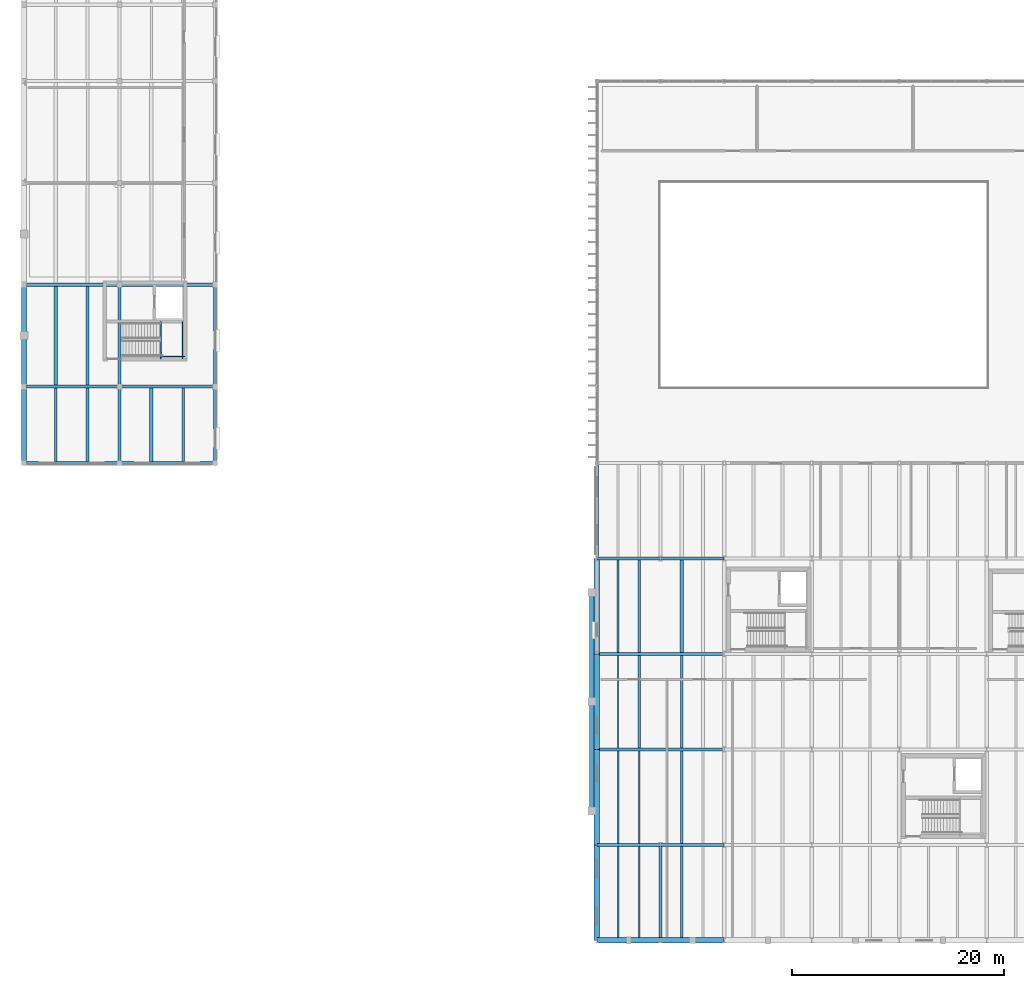
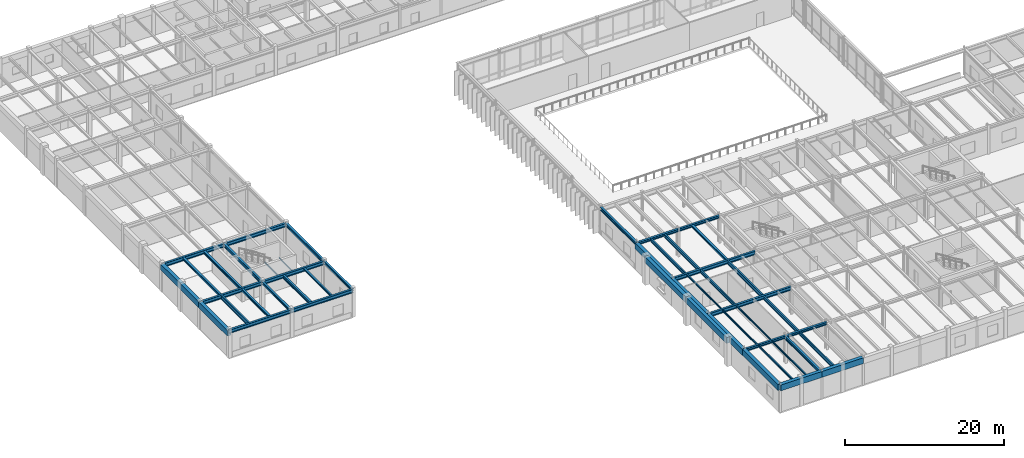
# One storey, part 18 of 64: 49 beams.
"""IFC4 building model written with IfcOpenShell, lengths in metres."""

from ifc_helpers import new_model, si_unit, direction, frame, origin, origin_2d, place, context, subcontext, project, spatial, rectangle, i_section, extrude, material, material_profile, profile_set, type_object, element, save


model = new_model("IFC4")

# Units and contexts
model_context = context("Model", 3, precision=1e-05, world=origin(), true_north=direction((0.0, 1.0)))
body_context = subcontext(model_context, "Body", "Model", "MODEL_VIEW")
ifc_project = project(units=[si_unit("LENGTHUNIT", "METRE"), si_unit("AREAUNIT", "SQUARE_METRE"), si_unit("VOLUMEUNIT", "CUBIC_METRE"), si_unit("PLANEANGLEUNIT", "RADIAN"), si_unit("MASSUNIT", "GRAM", prefix="KILO")], contexts=[model_context])

# Site, building, storey
site_placement = place(None, origin())
site = spatial("IfcSite", under=ifc_project, at=site_placement, CompositionType="ELEMENT")
building_placement = place(site_placement, origin())
building = spatial("IfcBuilding", under=site, at=building_placement, Name="Montealbar Specialist Clinic", CompositionType="ELEMENT")
storey_placement = place(building_placement, frame((0.0, 0.0, 5.10009765625)))
storey = spatial("IfcBuildingStorey", under=building, at=storey_placement, Name="L01", CompositionType="ELEMENT", Elevation=5.10009765625)

# Beams
ifc_material_1 = material(Name="Precast concrete C40/50", Category="concrete")
ifc_material_profile_1 = material_profile(ifc_material_1, rectangle(XDim=0.5, YDim=0.89990234375, at=origin_2d()), Name="PRECAST CORNICE 500x900", Category="concrete")
ifc_profile_set_1 = profile_set([ifc_material_profile_1], Name="Precast concrete C40/50")
beam_type_1 = type_object("IfcBeamType", Name="BM-CORNICE-PM900-EXT", PredefinedType="SPANDREL", material=ifc_profile_set_1)
for number, where, z_axis, x_axis, name in (
    (1, (54.0, 0.0, 3.77978515625), (1.0, 0.0, 0.0), (0.0, 1.0, 0.0), "Postmodern Entablature Cornice L01 Y=0.0 X=54.0-60.0"),
    (2, (60.0, 0.0, 3.77978515625), (1.0, 0.0, 0.0), (0.0, 1.0, 0.0), "Postmodern Entablature Cornice L01 Y=0.0 X=60.0-66.0"),
):
    element("IfcBeam", number, at=place(storey_placement, frame(where, z_axis=z_axis, x_axis=x_axis)), inside=storey, type_object=beam_type_1, Name=name, PredefinedType="SPANDREL", context=body_context, shape_type="SweptSolid", body=[
        extrude(rectangle(XDim=0.5, YDim=0.89990234375, at=origin_2d()), origin(), (0.0, 0.0, 1.0), 6.0),
    ])
beam_1_placement = place(storey_placement, frame((0.0, 45.0, 3.72998046875), z_axis=(0.0, 1.0, 0.0), x_axis=(-1.0, 0.0, 0.0)))
element("IfcBeam", 3, at=beam_1_placement, inside=storey, type_object=beam_type_1, Name="Postmodern Entablature Cornice L01 X=0.0 Y=45.0-52.2", PredefinedType="SPANDREL", context=body_context, shape_type="SweptSolid", body=[
    extrude(rectangle(XDim=0.5, YDim=0.89990234375, at=origin_2d()), origin(), (0.0, 0.0, 1.0), 7.199951171875),
])
beam_2_placement = place(storey_placement, frame((0.0, 52.199951171875, 3.72998046875), z_axis=(0.0, 1.0, 0.0), x_axis=(-1.0, 0.0, 0.0)))
element("IfcBeam", 4, at=beam_2_placement, inside=storey, type_object=beam_type_1, Name="Postmodern Entablature Cornice L01 X=0.0 Y=52.2-61.8", PredefinedType="SPANDREL", context=body_context, shape_type="SweptSolid", body=[
    extrude(rectangle(XDim=0.5, YDim=0.89990234375, at=origin_2d()), origin(), (0.0, 0.0, 1.0), 9.60009765625),
])
for number, where, z_axis, x_axis, name in (
    (5, (54.0, 0.0, 3.77978515625), (0.0, 1.0, 0.0), (-1.0, 0.0, 0.0), "Postmodern Entablature Cornice L01 X=54.0 Y=0.0-9.0"),
    (6, (54.0, 9.0, 3.72998046875), (0.0, 1.0, 0.0), (-1.0, 0.0, 0.0), "Postmodern Entablature Cornice L01 X=54.0 Y=9.0-18.0"),
    (7, (54.0, 18.0, 3.72998046875), (0.0, 1.0, 0.0), (-1.0, 0.0, 0.0), "Postmodern Entablature Cornice L01 X=54.0 Y=18.0-27.0"),
    (8, (54.0, 27.0, 3.72998046875), (0.0, 1.0, 0.0), (-1.0, 0.0, 0.0), "Postmodern Entablature Cornice L01 X=54.0 Y=27.0-36.0"),
):
    element("IfcBeam", number, at=place(storey_placement, frame(where, z_axis=z_axis, x_axis=x_axis)), inside=storey, type_object=beam_type_1, Name=name, PredefinedType="SPANDREL", context=body_context, shape_type="SweptSolid", body=[
        extrude(rectangle(XDim=0.5, YDim=0.89990234375, at=origin_2d()), origin(), (0.0, 0.0, 1.0), 9.0),
    ])
for number, where, z_axis, x_axis, name in (
    (9, (53.550048828125, 12.199951171875, 3.760009765625), (0.0, 1.0, 0.0), (-1.0, 0.0, 0.0), "Metro Forecourt Colonnade Entablature South"),
    (10, (53.550048828125, 22.5, 3.760009765625), (0.0, 1.0, 0.0), (-1.0, 0.0, 0.0), "Metro Forecourt Colonnade Entablature North"),
):
    element("IfcBeam", number, at=place(storey_placement, frame(where, z_axis=z_axis, x_axis=x_axis)), inside=storey, type_object=beam_type_1, Name=name, PredefinedType="SPANDREL", context=body_context, shape_type="SweptSolid", body=[
        extrude(rectangle(XDim=0.5, YDim=0.89990234375, at=origin_2d()), origin(), (0.0, 0.0, 1.0), 10.300048828125),
    ])
ifc_material_2 = material(Name="Steel S355", Category="steel")
ifc_material_profile_2 = material_profile(ifc_material_2, i_section(OverallWidth=0.300048828125, OverallDepth=0.360107421875, WebThickness=0.012451171875, FlangeThickness=0.0224609375, FilletRadius=0.027099609375, at=origin_2d()), Name="HEB 360", Category="steel")
ifc_profile_set_2 = profile_set([ifc_material_profile_2], Name="Steel S355")
beam_type_2 = type_object("IfcBeamType", Name="BM-GIRD-HEB360-EXT", PredefinedType="BEAM", material=ifc_profile_set_2)
for number, where, z_axis, x_axis, name in (
    (11, (9.0, 45.0, 4.0), (0.0, 1.0, 0.0), (-1.0, 0.0, 0.0), "Beam GY-L01-90-450-522"),
    (12, (18.0, 45.0, 4.0), (0.0, 1.0, 0.0), (-1.0, 0.0, 0.0), "Beam GY-L01-180-450-522"),
):
    element("IfcBeam", number, at=place(storey_placement, frame(where, z_axis=z_axis, x_axis=x_axis)), inside=storey, type_object=beam_type_2, Name=name, PredefinedType="BEAM", context=body_context, shape_type="SweptSolid", body=[
        extrude(i_section(OverallWidth=0.300048828125, OverallDepth=0.360107421875, WebThickness=0.012451171875, FlangeThickness=0.0224609375, FilletRadius=0.027099609375, at=origin_2d()), origin(), (0.0, 0.0, 1.0), 7.199951171875),
    ])
ifc_material_profile_3 = material_profile(ifc_material_2, i_section(OverallWidth=0.300048828125, OverallDepth=0.39990234375, WebThickness=0.013427734375, FlangeThickness=0.02392578125, FilletRadius=0.027099609375, at=origin_2d()), Name="HEB 400", Category="steel")
ifc_profile_set_3 = profile_set([ifc_material_profile_3], Name="Steel S355")
beam_type_3 = type_object("IfcBeamType", Name="BM-GIRD-HEB400", PredefinedType="BEAM", material=ifc_profile_set_3)
for number, where, z_axis, x_axis, name in (
    (13, (60.0, 9.0, 3.97998046875), (1.0, 0.0, 0.0), (0.0, 1.0, 0.0), "Beam GX-L01-600-660-90"),
    (14, (60.0, 36.0, 3.97998046875), (1.0, 0.0, 0.0), (0.0, 1.0, 0.0), "Beam GX-L01-600-660-360"),
):
    element("IfcBeam", number, at=place(storey_placement, frame(where, z_axis=z_axis, x_axis=x_axis)), inside=storey, type_object=beam_type_3, Name=name, PredefinedType="BEAM", context=body_context, shape_type="SweptSolid", body=[
        extrude(i_section(OverallWidth=0.300048828125, OverallDepth=0.39990234375, WebThickness=0.013427734375, FlangeThickness=0.02392578125, FilletRadius=0.027099609375, at=origin_2d()), origin(), (0.0, 0.0, 1.0), 6.0),
    ])
ifc_material_profile_4 = material_profile(ifc_material_2, i_section(OverallWidth=0.300048828125, OverallDepth=0.39990234375, WebThickness=0.013427734375, FlangeThickness=0.02392578125, FilletRadius=0.027099609375, at=origin_2d()), Name="HEB 400", Category="steel")
ifc_profile_set_4 = profile_set([ifc_material_profile_4], Name="Steel S355")
beam_type_4 = type_object("IfcBeamType", Name="BM-GIRD-HEB400-EXT", PredefinedType="BEAM", material=ifc_profile_set_4)
for number, where, z_axis, x_axis, name in (
    (15, (54.0, 9.0, 3.97998046875), (1.0, 0.0, 0.0), (0.0, 1.0, 0.0), "Beam GX-L01-540-600-90"),
    (16, (54.0, 36.0, 3.97998046875), (1.0, 0.0, 0.0), (0.0, 1.0, 0.0), "Beam GX-L01-540-600-360"),
):
    element("IfcBeam", number, at=place(storey_placement, frame(where, z_axis=z_axis, x_axis=x_axis)), inside=storey, type_object=beam_type_4, Name=name, PredefinedType="BEAM", context=body_context, shape_type="SweptSolid", body=[
        extrude(i_section(OverallWidth=0.300048828125, OverallDepth=0.39990234375, WebThickness=0.013427734375, FlangeThickness=0.02392578125, FilletRadius=0.027099609375, at=origin_2d()), origin(), (0.0, 0.0, 1.0), 6.0),
    ])
ifc_material_profile_5 = material_profile(ifc_material_2, i_section(OverallWidth=0.300048828125, OverallDepth=0.5, WebThickness=0.014404296875, FlangeThickness=0.028076171875, FilletRadius=0.027099609375, at=origin_2d()), Name="HEB 500", Category="steel")
ifc_profile_set_5 = profile_set([ifc_material_profile_5], Name="Steel S355")
beam_type_5 = type_object("IfcBeamType", Name="BM-GIRD-HEB500", PredefinedType="BEAM", material=ifc_profile_set_5)
beam_3_placement = place(storey_placement, frame((9.0, 52.199951171875, 3.929931640625), z_axis=(0.0, 1.0, 0.0), x_axis=(-1.0, 0.0, 0.0)))
element("IfcBeam", 17, at=beam_3_placement, inside=storey, type_object=beam_type_5, Name="Beam GY-L01-90-522-618", PredefinedType="BEAM", context=body_context, shape_type="SweptSolid", body=[
    extrude(i_section(OverallWidth=0.300048828125, OverallDepth=0.5, WebThickness=0.014404296875, FlangeThickness=0.028076171875, FilletRadius=0.027099609375, at=origin_2d()), origin(), (0.0, 0.0, 1.0), 9.60009765625),
])
ifc_material_profile_6 = material_profile(ifc_material_2, i_section(OverallWidth=0.300048828125, OverallDepth=0.5, WebThickness=0.014404296875, FlangeThickness=0.028076171875, FilletRadius=0.027099609375, at=origin_2d()), Name="HEB 500", Category="steel")
ifc_profile_set_6 = profile_set([ifc_material_profile_6], Name="Steel S355")
beam_type_6 = type_object("IfcBeamType", Name="BM-GIRD-HEB500-EXT", PredefinedType="BEAM", material=ifc_profile_set_6)
beam_4_placement = place(storey_placement, frame((18.0, 52.199951171875, 3.929931640625), z_axis=(0.0, 1.0, 0.0), x_axis=(-1.0, 0.0, 0.0)))
element("IfcBeam", 18, at=beam_4_placement, inside=storey, type_object=beam_type_6, Name="Beam GY-L01-180-522-618", PredefinedType="BEAM", context=body_context, shape_type="SweptSolid", body=[
    extrude(i_section(OverallWidth=0.300048828125, OverallDepth=0.5, WebThickness=0.014404296875, FlangeThickness=0.028076171875, FilletRadius=0.027099609375, at=origin_2d()), origin(), (0.0, 0.0, 1.0), 9.60009765625),
])
for number, where, z_axis, x_axis, name in (
    (19, (54.0, 36.0, 3.97998046875), (0.0, 1.0, 0.0), (-1.0, 0.0, 0.0), "Beam GY-L01-540-360-450"),
    (20, (60.0, 0.0, 3.929931640625), (0.0, 1.0, 0.0), (-1.0, 0.0, 0.0), "Beam GY-L01-600-0-90"),
):
    element("IfcBeam", number, at=place(storey_placement, frame(where, z_axis=z_axis, x_axis=x_axis)), inside=storey, type_object=beam_type_6, Name=name, PredefinedType="BEAM", context=body_context, shape_type="SweptSolid", body=[
        extrude(i_section(OverallWidth=0.300048828125, OverallDepth=0.5, WebThickness=0.014404296875, FlangeThickness=0.028076171875, FilletRadius=0.027099609375, at=origin_2d()), origin(), (0.0, 0.0, 1.0), 9.0),
    ])
ifc_material_profile_7 = material_profile(ifc_material_2, i_section(OverallWidth=0.300048828125, OverallDepth=0.550048828125, WebThickness=0.014892578125, FlangeThickness=0.029052734375, FilletRadius=0.027099609375, at=origin_2d()), Name="HEB 550", Category="steel")
ifc_profile_set_7 = profile_set([ifc_material_profile_7], Name="Steel S355")
beam_type_7 = type_object("IfcBeamType", Name="BM-GIRD-HEB550", PredefinedType="BEAM", material=ifc_profile_set_7)
for number, where, z_axis, x_axis, name in (
    (21, (54.0, 18.0, 3.90478515625), (1.0, 0.0, 0.0), (0.0, 1.0, 0.0), "Beam GX-L01-540-660-180"),
    (22, (54.0, 27.0, 3.90478515625), (1.0, 0.0, 0.0), (0.0, 1.0, 0.0), "Beam GX-L01-540-660-270"),
):
    element("IfcBeam", number, at=place(storey_placement, frame(where, z_axis=z_axis, x_axis=x_axis)), inside=storey, type_object=beam_type_7, Name=name, PredefinedType="BEAM", context=body_context, shape_type="SweptSolid", body=[
        extrude(i_section(OverallWidth=0.300048828125, OverallDepth=0.550048828125, WebThickness=0.014892578125, FlangeThickness=0.029052734375, FilletRadius=0.027099609375, at=origin_2d()), origin(), (0.0, 0.0, 1.0), 12.0),
    ])
for number, where, z_axis, x_axis, name in (
    (23, (0.0, 61.800048828125, 3.90478515625), (1.0, 0.0, 0.0), (0.0, 1.0, 0.0), "Beam GX-L01-0-90-618"),
    (24, (9.0, 61.800048828125, 3.90478515625), (1.0, 0.0, 0.0), (0.0, 1.0, 0.0), "Beam GX-L01-90-180-618"),
):
    element("IfcBeam", number, at=place(storey_placement, frame(where, z_axis=z_axis, x_axis=x_axis)), inside=storey, type_object=beam_type_7, Name=name, PredefinedType="BEAM", context=body_context, shape_type="SweptSolid", body=[
        extrude(i_section(OverallWidth=0.300048828125, OverallDepth=0.550048828125, WebThickness=0.014892578125, FlangeThickness=0.029052734375, FilletRadius=0.027099609375, at=origin_2d()), origin(), (0.0, 0.0, 1.0), 9.0),
    ])
ifc_material_profile_8 = material_profile(ifc_material_2, i_section(OverallWidth=0.300048828125, OverallDepth=0.550048828125, WebThickness=0.014892578125, FlangeThickness=0.029052734375, FilletRadius=0.027099609375, at=origin_2d()), Name="HEB 550", Category="steel")
ifc_profile_set_8 = profile_set([ifc_material_profile_8], Name="Steel S355")
beam_type_8 = type_object("IfcBeamType", Name="BM-GIRD-HEB550-EXT", PredefinedType="BEAM", material=ifc_profile_set_8)
for number, where, z_axis, x_axis, name in (
    (25, (0.0, 45.0, 3.954833984375), (1.0, 0.0, 0.0), (0.0, 1.0, 0.0), "Beam GX-L01-0-90-450"),
    (26, (9.0, 45.0, 3.954833984375), (1.0, 0.0, 0.0), (0.0, 1.0, 0.0), "Beam GX-L01-90-180-450"),
    (27, (0.0, 52.199951171875, 3.90478515625), (1.0, 0.0, 0.0), (0.0, 1.0, 0.0), "Beam GX-L01-0-90-522"),
    (28, (9.0, 52.199951171875, 3.90478515625), (1.0, 0.0, 0.0), (0.0, 1.0, 0.0), "Beam GX-L01-90-180-522"),
):
    element("IfcBeam", number, at=place(storey_placement, frame(where, z_axis=z_axis, x_axis=x_axis)), inside=storey, type_object=beam_type_8, Name=name, PredefinedType="BEAM", context=body_context, shape_type="SweptSolid", body=[
        extrude(i_section(OverallWidth=0.300048828125, OverallDepth=0.550048828125, WebThickness=0.014892578125, FlangeThickness=0.029052734375, FilletRadius=0.027099609375, at=origin_2d()), origin(), (0.0, 0.0, 1.0), 9.0),
    ])
ifc_material_profile_9 = material_profile(ifc_material_2, i_section(OverallWidth=0.300048828125, OverallDepth=0.35009765625, WebThickness=0.010009765625, FlangeThickness=0.017578125, FilletRadius=0.027099609375, at=origin_2d()), Name="HEA 360", Category="steel")
ifc_profile_set_9 = profile_set([ifc_material_profile_9], Name="Steel S355")
beam_type_9 = type_object("IfcBeamType", Name="BM-JST-HEA360", PredefinedType="JOIST", material=ifc_profile_set_9)
beam_5_placement = place(storey_placement, frame((6.0, 45.14990234375, 4.0048828125), z_axis=(0.0, 1.0, 0.0), x_axis=(-1.0, 0.0, 0.0)))
element("IfcBeam", 29, at=beam_5_placement, inside=storey, type_object=beam_type_9, Name="Beam JST-L01-60-452-520", PredefinedType="JOIST", context=body_context, shape_type="SweptSolid", body=[
    extrude(i_section(OverallWidth=0.300048828125, OverallDepth=0.35009765625, WebThickness=0.010009765625, FlangeThickness=0.017578125, FilletRadius=0.027099609375, at=origin_2d()), origin(), (0.0, 0.0, 1.0), 6.900146484375),
])
beam_6_placement = place(storey_placement, frame((3.0, 52.35009765625, 4.0048828125), z_axis=(0.0, 1.0, 0.0), x_axis=(-1.0, 0.0, 0.0)))
element("IfcBeam", 30, at=beam_6_placement, inside=storey, type_object=beam_type_9, Name="Beam JST-L01-30-524-616", PredefinedType="JOIST", context=body_context, shape_type="SweptSolid", body=[
    extrude(i_section(OverallWidth=0.300048828125, OverallDepth=0.35009765625, WebThickness=0.010009765625, FlangeThickness=0.017578125, FilletRadius=0.027099609375, at=origin_2d()), origin(), (0.0, 0.0, 1.0), 9.2998046875),
])
beam_7_placement = place(storey_placement, frame((62.0, 27.14990234375, 4.0048828125), z_axis=(0.0, 1.0, 0.0), x_axis=(-1.0, 0.0, 0.0)))
element("IfcBeam", 31, at=beam_7_placement, inside=storey, type_object=beam_type_9, Name="Beam JST-L01-620-272-358", PredefinedType="JOIST", context=body_context, shape_type="SweptSolid", body=[
    extrude(i_section(OverallWidth=0.300048828125, OverallDepth=0.35009765625, WebThickness=0.010009765625, FlangeThickness=0.017578125, FilletRadius=0.027099609375, at=origin_2d()), origin(), (0.0, 0.0, 1.0), 8.7001953125),
])
ifc_material_profile_10 = material_profile(ifc_material_2, i_section(OverallWidth=0.300048828125, OverallDepth=0.43994140625, WebThickness=0.011474609375, FlangeThickness=0.02099609375, FilletRadius=0.027099609375, at=origin_2d()), Name="HEA 450", Category="steel")
ifc_profile_set_10 = profile_set([ifc_material_profile_10], Name="Steel S355")
beam_type_10 = type_object("IfcBeamType", Name="BM-JST-HEA450", PredefinedType="JOIST", material=ifc_profile_set_10)
beam_8_placement = place(storey_placement, frame((6.0, 52.35009765625, 3.9599609375), z_axis=(0.0, 1.0, 0.0), x_axis=(-1.0, 0.0, 0.0)))
element("IfcBeam", 32, at=beam_8_placement, inside=storey, type_object=beam_type_10, Name="Beam JST-L01-60-524-616", PredefinedType="JOIST", context=body_context, shape_type="SweptSolid", body=[
    extrude(i_section(OverallWidth=0.300048828125, OverallDepth=0.43994140625, WebThickness=0.011474609375, FlangeThickness=0.02099609375, FilletRadius=0.027099609375, at=origin_2d()), origin(), (0.0, 0.0, 1.0), 9.2998046875),
])
ifc_material_profile_11 = material_profile(ifc_material_2, i_section(OverallWidth=0.300048828125, OverallDepth=0.489990234375, WebThickness=0.011962890625, FlangeThickness=0.02294921875, FilletRadius=0.027099609375, at=origin_2d()), Name="HEA 500", Category="steel")
ifc_profile_set_11 = profile_set([ifc_material_profile_11], Name="Steel S355")
beam_type_11 = type_object("IfcBeamType", Name="BM-JST-HEA500", PredefinedType="JOIST", material=ifc_profile_set_11)
beam_9_placement = place(storey_placement, frame((12.0, 45.14990234375, 3.934814453125), z_axis=(0.0, 1.0, 0.0), x_axis=(-1.0, 0.0, 0.0)))
element("IfcBeam", 33, at=beam_9_placement, inside=storey, type_object=beam_type_11, Name="Beam JST-L01-120-452-520", PredefinedType="JOIST", context=body_context, shape_type="SweptSolid", body=[
    extrude(i_section(OverallWidth=0.300048828125, OverallDepth=0.489990234375, WebThickness=0.011962890625, FlangeThickness=0.02294921875, FilletRadius=0.027099609375, at=origin_2d()), origin(), (0.0, 0.0, 1.0), 6.900146484375),
])
ifc_material_profile_12 = material_profile(ifc_material_2, i_section(OverallWidth=0.239990234375, OverallDepth=0.239990234375, WebThickness=0.010009765625, FlangeThickness=0.01708984375, FilletRadius=0.02099609375, at=origin_2d()), Name="HEB 240", Category="steel")
ifc_profile_set_12 = profile_set([ifc_material_profile_12], Name="Steel S355")
beam_type_12 = type_object("IfcBeamType", Name="BM-JST-HEB240", PredefinedType="JOIST", material=ifc_profile_set_12)
beam_10_placement = place(storey_placement, frame((15.0, 45.14990234375, 4.059814453125), z_axis=(0.0, 1.0, 0.0), x_axis=(-1.0, 0.0, 0.0)))
element("IfcBeam", 34, at=beam_10_placement, inside=storey, type_object=beam_type_12, Name="Beam JST-L01-150-452-520", PredefinedType="JOIST", context=body_context, shape_type="SweptSolid", body=[
    extrude(i_section(OverallWidth=0.239990234375, OverallDepth=0.239990234375, WebThickness=0.010009765625, FlangeThickness=0.01708984375, FilletRadius=0.02099609375, at=origin_2d()), origin(), (0.0, 0.0, 1.0), 6.900146484375),
])
ifc_material_profile_13 = material_profile(ifc_material_2, i_section(OverallWidth=0.1201171875, OverallDepth=0.239990234375, WebThickness=0.006103515625, FlangeThickness=0.009765625, FilletRadius=0.014892578125, at=origin_2d()), Name="IPE 240", Category="steel")
ifc_profile_set_13 = profile_set([ifc_material_profile_13], Name="Steel S355")
beam_type_13 = type_object("IfcBeamType", Name="BM-JST-IPE240", PredefinedType="JOIST", material=ifc_profile_set_13)
for number, where, z_axis, x_axis, name in (
    (35, (58.0, 9.14990234375, 4.059814453125), (0.0, 1.0, 0.0), (-1.0, 0.0, 0.0), "Beam JST-L01-580-92-178"),
    (36, (56.0, 18.14990234375, 4.059814453125), (0.0, 1.0, 0.0), (-1.0, 0.0, 0.0), "Beam JST-L01-560-182-268"),
):
    element("IfcBeam", number, at=place(storey_placement, frame(where, z_axis=z_axis, x_axis=x_axis)), inside=storey, type_object=beam_type_13, Name=name, PredefinedType="JOIST", context=body_context, shape_type="SweptSolid", body=[
        extrude(i_section(OverallWidth=0.1201171875, OverallDepth=0.239990234375, WebThickness=0.006103515625, FlangeThickness=0.009765625, FilletRadius=0.014892578125, at=origin_2d()), origin(), (0.0, 0.0, 1.0), 8.7001953125),
    ])
ifc_material_profile_14 = material_profile(ifc_material_2, i_section(OverallWidth=0.135009765625, OverallDepth=0.27001953125, WebThickness=0.006591796875, FlangeThickness=0.01025390625, FilletRadius=0.014892578125, at=origin_2d()), Name="IPE 270", Category="steel")
ifc_profile_set_14 = profile_set([ifc_material_profile_14], Name="Steel S355")
beam_type_14 = type_object("IfcBeamType", Name="BM-JST-IPE270", PredefinedType="JOIST", material=ifc_profile_set_14)
beam_11_placement = place(storey_placement, frame((58.0, 0.25, 4.044921875), z_axis=(0.0, 1.0, 0.0), x_axis=(-1.0, 0.0, 0.0)))
element("IfcBeam", 37, at=beam_11_placement, inside=storey, type_object=beam_type_14, Name="Beam JST-L01-580-2-88", PredefinedType="JOIST", context=body_context, shape_type="SweptSolid", body=[
    extrude(i_section(OverallWidth=0.135009765625, OverallDepth=0.27001953125, WebThickness=0.006591796875, FlangeThickness=0.01025390625, FilletRadius=0.014892578125, at=origin_2d()), origin(), (0.0, 0.0, 1.0), 8.60009765625),
])
beam_12_placement = place(storey_placement, frame((56.0, 9.14990234375, 4.044921875), z_axis=(0.0, 1.0, 0.0), x_axis=(-1.0, 0.0, 0.0)))
element("IfcBeam", 38, at=beam_12_placement, inside=storey, type_object=beam_type_14, Name="Beam JST-L01-560-92-178", PredefinedType="JOIST", context=body_context, shape_type="SweptSolid", body=[
    extrude(i_section(OverallWidth=0.135009765625, OverallDepth=0.27001953125, WebThickness=0.006591796875, FlangeThickness=0.01025390625, FilletRadius=0.014892578125, at=origin_2d()), origin(), (0.0, 0.0, 1.0), 8.7001953125),
])
ifc_material_profile_15 = material_profile(ifc_material_2, i_section(OverallWidth=0.14990234375, OverallDepth=0.300048828125, WebThickness=0.007080078125, FlangeThickness=0.0107421875, FilletRadius=0.014892578125, at=origin_2d()), Name="IPE 300", Category="steel")
ifc_profile_set_15 = profile_set([ifc_material_profile_15], Name="Steel S355")
beam_type_15 = type_object("IfcBeamType", Name="BM-JST-IPE300", PredefinedType="JOIST", material=ifc_profile_set_15)
beam_13_placement = place(storey_placement, frame((56.0, 0.25, 4.079833984375), z_axis=(0.0, 1.0, 0.0), x_axis=(-1.0, 0.0, 0.0)))
element("IfcBeam", 39, at=beam_13_placement, inside=storey, type_object=beam_type_15, Name="Beam JST-L01-560-2-88", PredefinedType="JOIST", context=body_context, shape_type="SweptSolid", body=[
    extrude(i_section(OverallWidth=0.14990234375, OverallDepth=0.300048828125, WebThickness=0.007080078125, FlangeThickness=0.0107421875, FilletRadius=0.014892578125, at=origin_2d()), origin(), (0.0, 0.0, 1.0), 8.60009765625),
])
ifc_material_profile_16 = material_profile(ifc_material_2, i_section(OverallWidth=0.199951171875, OverallDepth=0.5, WebThickness=0.01025390625, FlangeThickness=0.01611328125, FilletRadius=0.02099609375, at=origin_2d()), Name="IPE 500", Category="steel")
ifc_profile_set_16 = profile_set([ifc_material_profile_16], Name="Steel S355")
beam_type_16 = type_object("IfcBeamType", Name="BM-JST-IPE500", PredefinedType="JOIST", material=ifc_profile_set_16)
for number, where, z_axis, x_axis, name in (
    (40, (58.0, 18.14990234375, 3.929931640625), (0.0, 1.0, 0.0), (-1.0, 0.0, 0.0), "Beam JST-L01-580-182-268"),
    (41, (56.0, 27.14990234375, 3.929931640625), (0.0, 1.0, 0.0), (-1.0, 0.0, 0.0), "Beam JST-L01-560-272-358"),
):
    element("IfcBeam", number, at=place(storey_placement, frame(where, z_axis=z_axis, x_axis=x_axis)), inside=storey, type_object=beam_type_16, Name=name, PredefinedType="JOIST", context=body_context, shape_type="SweptSolid", body=[
        extrude(i_section(OverallWidth=0.199951171875, OverallDepth=0.5, WebThickness=0.01025390625, FlangeThickness=0.01611328125, FilletRadius=0.02099609375, at=origin_2d()), origin(), (0.0, 0.0, 1.0), 8.7001953125),
    ])
beam_14_placement = place(storey_placement, frame((62.0, 0.25, 3.929931640625), z_axis=(0.0, 1.0, 0.0), x_axis=(-1.0, 0.0, 0.0)))
element("IfcBeam", 42, at=beam_14_placement, inside=storey, type_object=beam_type_16, Name="Beam JST-L01-620-2-88", PredefinedType="JOIST", context=body_context, shape_type="SweptSolid", body=[
    extrude(i_section(OverallWidth=0.199951171875, OverallDepth=0.5, WebThickness=0.01025390625, FlangeThickness=0.01611328125, FilletRadius=0.02099609375, at=origin_2d()), origin(), (0.0, 0.0, 1.0), 8.60009765625),
])
ifc_material_profile_17 = material_profile(ifc_material_2, i_section(OverallWidth=0.2099609375, OverallDepth=0.550048828125, WebThickness=0.010986328125, FlangeThickness=0.01708984375, FilletRadius=0.02392578125, at=origin_2d()), Name="IPE 550", Category="steel")
ifc_profile_set_17 = profile_set([ifc_material_profile_17], Name="Steel S355")
beam_type_17 = type_object("IfcBeamType", Name="BM-JST-IPE550", PredefinedType="JOIST", material=ifc_profile_set_17)
for number, where, z_axis, x_axis, name in (
    (43, (58.0, 27.14990234375, 3.90478515625), (0.0, 1.0, 0.0), (-1.0, 0.0, 0.0), "Beam JST-L01-580-272-358"),
    (44, (62.0, 9.14990234375, 3.90478515625), (0.0, 1.0, 0.0), (-1.0, 0.0, 0.0), "Beam JST-L01-620-92-178"),
):
    element("IfcBeam", number, at=place(storey_placement, frame(where, z_axis=z_axis, x_axis=x_axis)), inside=storey, type_object=beam_type_17, Name=name, PredefinedType="JOIST", context=body_context, shape_type="SweptSolid", body=[
        extrude(i_section(OverallWidth=0.2099609375, OverallDepth=0.550048828125, WebThickness=0.010986328125, FlangeThickness=0.01708984375, FilletRadius=0.02392578125, at=origin_2d()), origin(), (0.0, 0.0, 1.0), 8.7001953125),
    ])
ifc_material_profile_18 = material_profile(ifc_material_2, i_section(OverallWidth=0.219970703125, OverallDepth=0.60009765625, WebThickness=0.011962890625, FlangeThickness=0.01904296875, FilletRadius=0.02392578125, at=origin_2d()), Name="IPE 600", Category="steel")
ifc_profile_set_18 = profile_set([ifc_material_profile_18], Name="Steel S355")
beam_type_18 = type_object("IfcBeamType", Name="BM-JST-IPE600", PredefinedType="JOIST", material=ifc_profile_set_18)
beam_15_placement = place(storey_placement, frame((3.0, 45.14990234375, 3.8798828125), z_axis=(0.0, 1.0, 0.0), x_axis=(-1.0, 0.0, 0.0)))
element("IfcBeam", 45, at=beam_15_placement, inside=storey, type_object=beam_type_18, Name="Beam JST-L01-30-452-520", PredefinedType="JOIST", context=body_context, shape_type="SweptSolid", body=[
    extrude(i_section(OverallWidth=0.219970703125, OverallDepth=0.60009765625, WebThickness=0.011962890625, FlangeThickness=0.01904296875, FilletRadius=0.02392578125, at=origin_2d()), origin(), (0.0, 0.0, 1.0), 6.900146484375),
])
beam_16_placement = place(storey_placement, frame((62.0, 18.14990234375, 3.8798828125), z_axis=(0.0, 1.0, 0.0), x_axis=(-1.0, 0.0, 0.0)))
element("IfcBeam", 46, at=beam_16_placement, inside=storey, type_object=beam_type_18, Name="Beam JST-L01-620-182-268", PredefinedType="JOIST", context=body_context, shape_type="SweptSolid", body=[
    extrude(i_section(OverallWidth=0.219970703125, OverallDepth=0.60009765625, WebThickness=0.011962890625, FlangeThickness=0.01904296875, FilletRadius=0.02392578125, at=origin_2d()), origin(), (0.0, 0.0, 1.0), 8.7001953125),
])
ifc_material_profile_19 = material_profile(ifc_material_2, i_section(OverallWidth=0.10009765625, OverallDepth=0.199951171875, WebThickness=0.005615234375, FlangeThickness=0.008544921875, FilletRadius=0.011962890625, at=origin_2d()), Name="IPE 200", Category="steel")
ifc_profile_set_19 = profile_set([ifc_material_profile_19], Name="Steel S355")
beam_type_19 = type_object("IfcBeamType", Name="BM-LINT-IPE200", PredefinedType="LINTEL", material=ifc_profile_set_19)
for number, where, z_axis, x_axis, name in (
    (47, (12.889892578125, 54.800048828125, 1.949951171875), (0.0, 1.0, 0.0), (-1.0, 0.0, 0.0), "Core C1 Stair Landing Beam L01 W"),
    (48, (14.929931640625, 54.800048828125, 1.949951171875), (0.0, 1.0, 0.0), (-1.0, 0.0, 0.0), "Core C1 Stair Landing Beam L01 E"),
):
    element("IfcBeam", number, at=place(storey_placement, frame(where, z_axis=z_axis, x_axis=x_axis)), inside=storey, type_object=beam_type_19, Name=name, PredefinedType="LINTEL", context=body_context, shape_type="SweptSolid", body=[
        extrude(i_section(OverallWidth=0.10009765625, OverallDepth=0.199951171875, WebThickness=0.005615234375, FlangeThickness=0.008544921875, FilletRadius=0.011962890625, at=origin_2d()), origin(), (0.0, 0.0, 1.0), 3.550048828125),
    ])
beam_17_placement = place(storey_placement, frame((12.889892578125, 55.050048828125, 1.949951171875), z_axis=(1.0, 0.0, 0.0), x_axis=(0.0, 1.0, 0.0)))
element("IfcBeam", 49, at=beam_17_placement, inside=storey, type_object=beam_type_19, Name="Core C1 Stair Landing Tie Beam L01", PredefinedType="LINTEL", context=body_context, shape_type="SweptSolid", body=[
    extrude(i_section(OverallWidth=0.10009765625, OverallDepth=0.199951171875, WebThickness=0.005615234375, FlangeThickness=0.008544921875, FilletRadius=0.011962890625, at=origin_2d()), origin(), (0.0, 0.0, 1.0), 2.31005859375),
])

save(model, "model.ifc")
